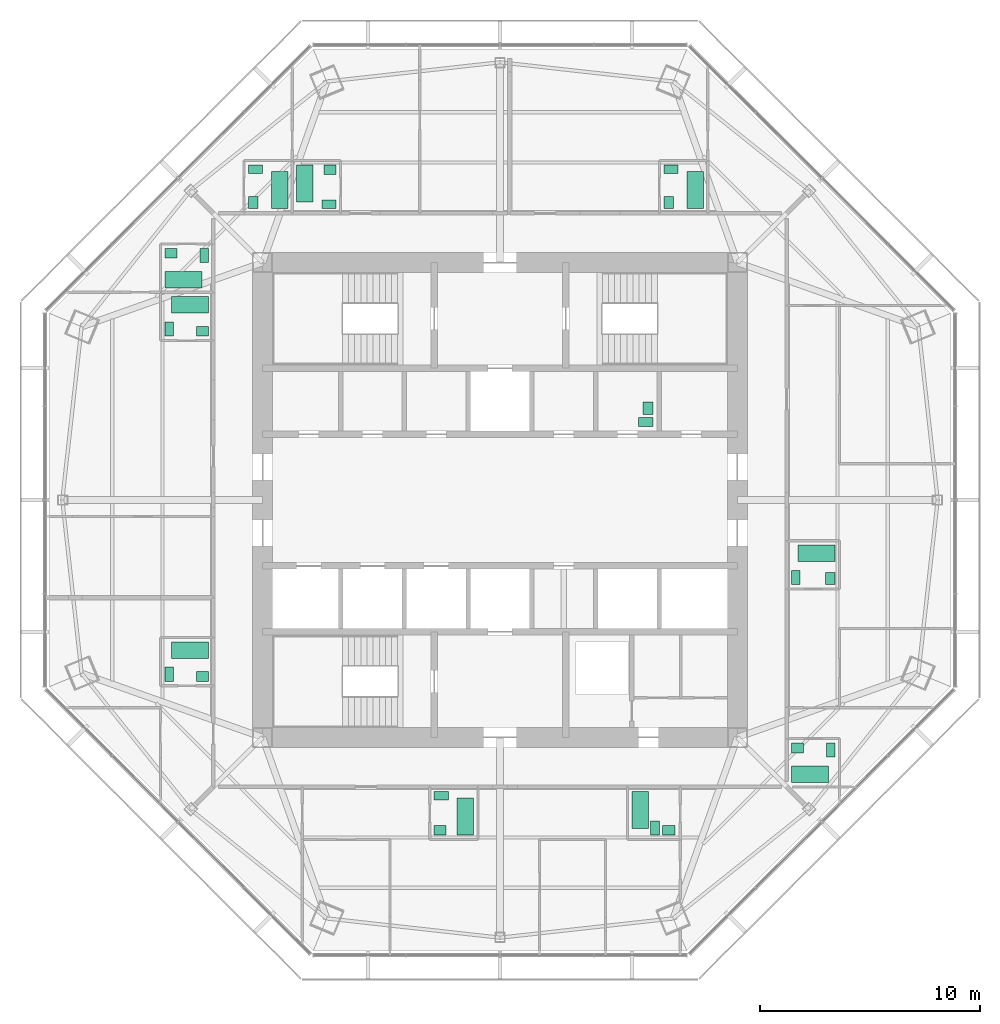
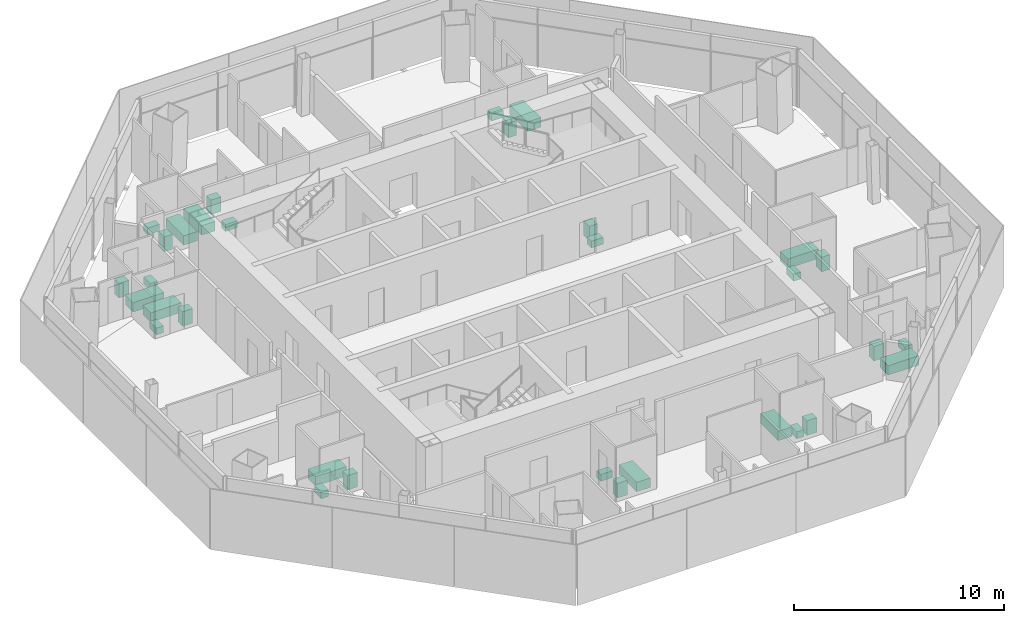
# One storey, part 15 of 15: 32 sanitary terminals.
"""IFC4 building model written with IfcOpenShell, lengths in metres."""

import ifcopenshell
import ifcopenshell.guid

model = None  # the IFC model being written
_history = None  # IfcOwnerHistory: only IFC2X3 demands one
_inside = {}  # id of a spatial element -> (the spatial element, [elements in it])
_under = {}  # id of a project, library or spatial element -> (it, [spatial elements below it])
_declared = {}  # id of a project -> (the project, [libraries it declares])
_typed = {}  # id of a type object -> (the type object, [elements of that type])
_made_of = {}  # id of a material, layer set ... -> (it, [elements and type objects made of it])


def new_model(schema):
    """Start an empty IFC model of exactly this schema.

    Asked for "IFC4X3", IfcOpenShell would pick the latest addendum, in which some entities
    have other attributes; the version numbers below select the first issue.
    IFC2X3 requires an IfcOwnerHistory on every rooted entity: one is made here for all.
    """
    global model, _history
    if schema == "IFC4X3":
        model = ifcopenshell.file(schema_version=(4, 3, 0, 0))
    else:
        model = ifcopenshell.file(schema=schema)
    _inside.clear()
    _under.clear()
    _declared.clear()
    _typed.clear()
    _made_of.clear()
    _history = None
    if model.schema == "IFC2X3":
        org = make("IfcOrganization", Name="unknown")
        user = make(
            "IfcPersonAndOrganization",
            ThePerson=make("IfcPerson", FamilyName="unknown"),
            TheOrganization=org,
        )
        app = make(
            "IfcApplication",
            ApplicationDeveloper=org,
            Version="unknown",
            ApplicationFullName="unknown",
            ApplicationIdentifier="unknown",
        )
        _history = make(
            "IfcOwnerHistory",
            OwningUser=user,
            OwningApplication=app,
            ChangeAction="ADDED",
            CreationDate=0,
        )
    return model


def make(cls, **values):
    """One entity of the class cls with the attributes given. An attribute that is None is left unset."""
    return model.create_entity(
        cls, **{name: value for name, value in values.items() if value is not None}
    )


def rooted(cls, **values):
    """An entity with a GlobalId (a new one), such as an element, a storey or a relation."""
    return make(cls, GlobalId=ifcopenshell.guid.new(), OwnerHistory=_history, **values)


def si_unit(unit_type, name, prefix=None):
    """IfcSIUnit, for example si_unit("LENGTHUNIT", "METRE", prefix="MILLI")."""
    return make("IfcSIUnit", UnitType=unit_type, Prefix=prefix, Name=name)


def assignment(units):
    """IfcUnitAssignment: the units of a project."""
    return None if units is None else make("IfcUnitAssignment", Units=units)


def point(xyz):
    """IfcCartesianPoint."""
    return None if xyz is None else make("IfcCartesianPoint", Coordinates=xyz)


def direction(xyz):
    """IfcDirection."""
    return None if xyz is None else make("IfcDirection", DirectionRatios=xyz)


def frame(location, z_axis=None, x_axis=None):
    """IfcAxis2Placement3D, a coordinate frame: its origin and axes. An axis left out is left unset."""
    return make(
        "IfcAxis2Placement3D",
        Location=point(location),
        Axis=direction(z_axis),
        RefDirection=direction(x_axis),
    )


def frame_2d(location, x_axis=None):
    """IfcAxis2Placement2D, a coordinate frame in the plane: its origin and x axis."""
    return make(
        "IfcAxis2Placement2D", Location=point(location), RefDirection=direction(x_axis)
    )


def origin():
    """The frame at (0, 0, 0) with its axes left unset."""
    return frame((0.0, 0.0, 0.0))


def origin_2d():
    """The frame at (0, 0) in the plane with its x axis left unset."""
    return frame_2d((0.0, 0.0))


def place(relative_to, where):
    """IfcLocalPlacement: puts the frame where relative to a parent placement (None: the world)."""
    return make(
        "IfcLocalPlacement", PlacementRelTo=relative_to, RelativePlacement=where
    )


def context(
    kind, dimensions, precision=None, world=None, true_north=None, identifier=None
):
    """IfcGeometricRepresentationContext, for example the 3D "Model" context."""
    return make(
        "IfcGeometricRepresentationContext",
        ContextIdentifier=identifier,
        ContextType=kind,
        CoordinateSpaceDimension=dimensions,
        Precision=precision,
        WorldCoordinateSystem=world,
        TrueNorth=true_north,
    )


def subcontext(parent, identifier, kind, view, scale=None):
    """IfcGeometricRepresentationSubContext, for example "Body" below "Model"."""
    return make(
        "IfcGeometricRepresentationSubContext",
        ContextIdentifier=identifier,
        ContextType=kind,
        ParentContext=parent,
        TargetScale=scale,
        TargetView=view,
    )


def project(units=None, contexts=None):
    """IfcProject with its units and contexts."""
    return rooted(
        "IfcProject",
        Name="project",
        RepresentationContexts=contexts,
        UnitsInContext=assignment(units),
    )


def spatial(cls, under=None, at=None, **own):
    """A site, building, storey or space (cls), placed at a placement, below another one or the project."""
    s = rooted(cls, ObjectPlacement=at, **own)
    if under is not None:
        _under.setdefault(under.id(), (under, []))[1].append(s)
    return s


def profile(cls, at=None, kind="AREA", **sizes):
    """A parametric profile (cls). Its sizes go by their IFC names, for example OverallWidth=200.0."""
    return make(cls, ProfileType=kind, Position=at, **sizes)


def rectangle(**sizes):
    """IfcRectangleProfileDef."""
    return profile("IfcRectangleProfileDef", **sizes)


def extrude(swept, where, along, depth):
    """IfcExtrudedAreaSolid: the profile swept, set in the frame where, extruded along a direction by depth."""
    return make(
        "IfcExtrudedAreaSolid",
        SweptArea=swept,
        Position=where,
        ExtrudedDirection=direction(along),
        Depth=depth,
    )


def shape(context_of_items, identifier, shape_type, items):
    """IfcShapeRepresentation: the items that make up one representation, for example the "Body"."""
    return make(
        "IfcShapeRepresentation",
        ContextOfItems=context_of_items,
        RepresentationIdentifier=identifier,
        RepresentationType=shape_type,
        Items=items,
    )


def material(Name=None, Category=None):
    """IfcMaterial."""
    return make("IfcMaterial", Name=Name, Category=Category)


def made_of(thing, what):
    """Note that an element or type object is made of a material, layer set ...; save() writes the relation."""
    if what is not None:
        _made_of.setdefault(what.id(), (what, []))[1].append(thing)
    return thing


def type_object(cls, material=None, **own):
    """A type object (cls), such as IfcWallType, which elements share."""
    return made_of(rooted(cls, **own), material)


def element(
    cls,
    number,
    at=None,
    inside=None,
    cuts=None,
    type_object=None,
    material=None,
    context=None,
    identifier="Body",
    shape_type=None,
    held_by="IfcProductDefinitionShape",
    body=None,
    shapes=None,
    **own,
):
    """One element of the class cls, such as IfcWall. Its Tag is "e" and its number.

    at: its placement. inside: the storey or other place that contains it. cuts: it is an
    opening in that element (IfcRelVoidsElement). A single representation is given by context,
    identifier, shape_type and body (its items); several are given by shapes. held_by: the class
    of the entity that holds the representations. save() writes the other relations.
    """
    e = rooted(cls, Tag="e%d" % number, ObjectPlacement=at, **own)
    if body is not None:
        shapes = [shape(context, identifier, shape_type, body)]
    if shapes is not None:
        e.Representation = make(held_by, Representations=shapes)
    if inside is not None:
        _inside.setdefault(inside.id(), (inside, []))[1].append(e)
    if cuts is not None:
        rooted(
            "IfcRelVoidsElement", RelatingBuildingElement=cuts, RelatedOpeningElement=e
        )
    if type_object is not None:
        _typed.setdefault(type_object.id(), (type_object, []))[1].append(e)
    return made_of(e, material)


def aggregate(whole, parts):
    """IfcRelAggregates: a whole, such as a stair, and the parts it consists of."""
    return rooted("IfcRelAggregates", RelatingObject=whole, RelatedObjects=parts)


def save(model, path):
    """Write the relations noted so far, then the file.

    IfcRelAggregates (storeys below a building ...), IfcRelContainedInSpatialStructure (elements
    in a storey), IfcRelDefinesByType, IfcRelAssociatesMaterial and IfcRelDeclares: one each for
    every whole, place, type object, material and project.
    """
    for whole, parts in _under.values():
        aggregate(whole, parts)
    for where, things in _inside.values():
        rooted(
            "IfcRelContainedInSpatialStructure",
            RelatedElements=things,
            RelatingStructure=where,
        )
    for kind, things in _typed.values():
        rooted("IfcRelDefinesByType", RelatedObjects=things, RelatingType=kind)
    for what, things in _made_of.values():
        rooted("IfcRelAssociatesMaterial", RelatedObjects=things, RelatingMaterial=what)
    for by, libraries in _declared.values():
        rooted("IfcRelDeclares", RelatingContext=by, RelatedDefinitions=libraries)
    model.write(path)


model = new_model("IFC4")

# Units and contexts
model_context = context("Model", 3, precision=1e-05, world=origin(), true_north=direction((0.0, 1.0)))
body_context = subcontext(model_context, "Body", "Model", "MODEL_VIEW")
ifc_project = project(units=[si_unit("LENGTHUNIT", "METRE"), si_unit("AREAUNIT", "SQUARE_METRE"), si_unit("VOLUMEUNIT", "CUBIC_METRE"), si_unit("PLANEANGLEUNIT", "RADIAN"), si_unit("MASSUNIT", "GRAM", prefix="KILO")], contexts=[model_context])

# Site, building, storey
site_placement = place(None, origin())
site = spatial("IfcSite", under=ifc_project, at=site_placement, CompositionType="ELEMENT")
building_placement = place(site_placement, origin())
building = spatial("IfcBuilding", under=site, at=building_placement, Name="Mashrafa Tower", CompositionType="ELEMENT")
storey_placement = place(building_placement, frame((0.0, 0.0, 258.39990234375)))
storey = spatial("IfcBuildingStorey", under=building, at=storey_placement, Name="L62", CompositionType="ELEMENT", Elevation=258.39990234375)

# Sanitary terminals
ifc_material_1 = material(Name="Enamelled steel", Category="steel")
sanitary_terminal_type_1 = type_object("IfcSanitaryTerminalType", Name="Bath 1700 x 750", PredefinedType="BATH", material=ifc_material_1)
for number, where, z_axis, x_axis, name in (
    (1, (14.10009765625, -12.47509765625, 0.0), (0.0, 0.0, 1.0), (1.0, 0.0, 0.0), "Bath Apartment 6201 En-suite Bathroom"),
    (2, (14.39990234375, -2.425048828125, 0.0), (0.0, 0.0, 1.0), (-1.0, 0.0, 0.0), "Bath Apartment 6201 Bathroom"),
    (3, (8.875, 14.10009765625, 0.0), (0.0, 0.0, 1.0), (0.0, 1.0, 0.0), "Bath Apartment 6202 Bathroom"),
    (4, (-10.02490234375, 14.10009765625, 0.0), (0.0, 0.0, 1.0), (0.0, 1.0, 0.0), "Bath Apartment 6203 En-suite Bathroom"),
    (5, (-8.875, 14.39990234375, 0.0), (0.0, 0.0, 1.0), (0.0, -1.0, 0.0), "Bath Apartment 6203 Bathroom"),
    (6, (-14.39990234375, 10.02490234375, 0.0), (0.0, 0.0, 1.0), (1.0, 0.0, 0.0), "Bath Apartment 6204 En-suite Bathroom"),
    (7, (-14.10009765625, 8.875, 0.0), (0.0, 0.0, 1.0), (-1.0, 0.0, 0.0), "Bath Apartment 6204 Bathroom"),
    (8, (-14.10009765625, -6.824951171875, 0.0), (0.0, 0.0, 1.0), (-1.0, 0.0, 0.0), "Bath Apartment 6205 Bathroom"),
    (9, (-1.574951171875, -14.39990234375, 0.0), (0.0, 0.0, 1.0), (0.0, 1.0, 0.0), "Bath Apartment 6206 Bathroom"),
    (10, (6.375, -14.10009765625, 0.0), (0.0, 0.0, 1.0), (0.0, -1.0, 0.0), "Bath Apartment 6206 En-suite Bathroom"),
):
    element("IfcSanitaryTerminal", number, at=place(storey_placement, frame(where, z_axis=z_axis, x_axis=x_axis)), inside=storey, type_object=sanitary_terminal_type_1, Name=name, PredefinedType="BATH", context=body_context, shape_type="SweptSolid", body=[
        extrude(rectangle(XDim=1.699951171875, YDim=0.75, at=origin_2d()), origin(), (0.0, 0.0, 1.0), 0.550048828125),
    ])
ifc_material_2 = material(Name="Vitreous china")
sanitary_terminal_type_2 = type_object("IfcSanitaryTerminalType", Name="Toilet pan 400 x 650", PredefinedType="TOILETPAN", material=ifc_material_2)
for number, where, z_axis, x_axis, name in (
    (11, (6.625, 3.550048828125, 0.000244140625), (0.0, 0.0, 1.0), (0.0, 1.0, 0.0), "Toilet pan Staff WC L62"),
    (12, (15.050048828125, -11.375, 0.000244140625), (0.0, 0.0, 1.0), (-1.0, 0.0, 0.0), "Toilet pan Apartment 6201 En-suite Bathroom"),
    (13, (13.449951171875, -3.52490234375, 0.000244140625), (0.0, 0.0, 1.0), (1.0, 0.0, 0.0), "Toilet pan Apartment 6201 Bathroom"),
    (14, (7.77490234375, 15.050048828125, 0.000244140625), (0.0, 0.0, 1.0), (0.0, -1.0, 0.0), "Toilet pan Apartment 6202 Bathroom"),
    (15, (-11.125, 15.050048828125, 0.000244140625), (0.0, 0.0, 1.0), (0.0, -1.0, 0.0), "Toilet pan Apartment 6203 En-suite Bathroom"),
    (16, (-7.77490234375, 13.449951171875, 0.000244140625), (0.0, 0.0, 1.0), (0.0, 1.0, 0.0), "Toilet pan Apartment 6203 Bathroom"),
    (17, (-13.449951171875, 11.125, 0.000244140625), (0.0, 0.0, 1.0), (-1.0, 0.0, 0.0), "Toilet pan Apartment 6204 En-suite Bathroom"),
    (18, (-15.050048828125, 7.77490234375, 0.000244140625), (0.0, 0.0, 1.0), (1.0, 0.0, 0.0), "Toilet pan Apartment 6204 Bathroom"),
    (19, (-15.050048828125, -7.925048828125, 0.000244140625), (0.0, 0.0, 1.0), (1.0, 0.0, 0.0), "Toilet pan Apartment 6205 Bathroom"),
    (20, (-2.675048828125, -13.449951171875, 0.000244140625), (0.0, 0.0, 1.0), (0.0, -1.0, 0.0), "Toilet pan Apartment 6206 Bathroom"),
    (21, (7.050048828125, -14.925048828125, 0.000244140625), (0.0, 0.0, 1.0), (1.0, 0.0, 0.0), "Toilet pan Apartment 6206 En-suite Bathroom"),
):
    element("IfcSanitaryTerminal", number, at=place(storey_placement, frame(where, z_axis=z_axis, x_axis=x_axis)), inside=storey, type_object=sanitary_terminal_type_2, Name=name, PredefinedType="TOILETPAN", context=body_context, shape_type="SweptSolid", body=[
        extrude(rectangle(XDim=0.39990234375, YDim=0.64990234375, at=origin_2d()), origin(), (0.0, 0.0, 1.0), 0.39990234375),
    ])
ifc_material_3 = material(Name="Vitreous china")
sanitary_terminal_type_3 = type_object("IfcSanitaryTerminalType", Name="Wash basin 550 x 450", PredefinedType="WASHHANDBASIN", material=ifc_material_3)
for number, where, z_axis, x_axis, name in (
    (22, (6.72509765625, 4.175048828125, 0.0), (0.0, 0.0, 1.0), (0.0, 1.0, 0.0), "Wash basin Staff WC L62"),
    (23, (13.52490234375, -11.27490234375, 0.0), (0.0, 0.0, 1.0), (-1.0, 0.0, 0.0), "Wash basin Apartment 6201 En-suite Bathroom"),
    (24, (15.02490234375, -3.574951171875, 0.0), (0.0, 0.0, 1.0), (0.0, 1.0, 0.0), "Wash basin Apartment 6201 Bathroom"),
    (25, (7.675048828125, 13.52490234375, 0.0), (0.0, 0.0, 1.0), (0.0, -1.0, 0.0), "Wash basin Apartment 6202 Bathroom"),
    (26, (-11.22509765625, 13.52490234375, 0.0), (0.0, 0.0, 1.0), (0.0, -1.0, 0.0), "Wash basin Apartment 6203 En-suite Bathroom"),
    (27, (-7.72509765625, 15.02490234375, 0.0), (0.0, 0.0, 1.0), (-1.0, 0.0, 0.0), "Wash basin Apartment 6203 Bathroom"),
    (28, (-14.97509765625, 11.22509765625, 0.0), (0.0, 0.0, 1.0), (-1.0, 0.0, 0.0), "Wash basin Apartment 6204 En-suite Bathroom"),
    (29, (-13.52490234375, 7.675048828125, 0.0), (0.0, 0.0, 1.0), (1.0, 0.0, 0.0), "Wash basin Apartment 6204 Bathroom"),
    (30, (-13.52490234375, -8.02490234375, 0.0), (0.0, 0.0, 1.0), (1.0, 0.0, 0.0), "Wash basin Apartment 6205 Bathroom"),
    (31, (-2.72509765625, -15.02490234375, 0.0), (0.0, 0.0, 1.0), (1.0, 0.0, 0.0), "Wash basin Apartment 6206 Bathroom"),
    (32, (7.675048828125, -15.02490234375, 0.0), (0.0, 0.0, 1.0), (1.0, 0.0, 0.0), "Wash basin Apartment 6206 En-suite Bathroom"),
):
    element("IfcSanitaryTerminal", number, at=place(storey_placement, frame(where, z_axis=z_axis, x_axis=x_axis)), inside=storey, type_object=sanitary_terminal_type_3, Name=name, PredefinedType="WASHHANDBASIN", context=body_context, shape_type="SweptSolid", body=[
        extrude(rectangle(XDim=0.550048828125, YDim=0.449951171875, at=origin_2d()), origin(), (0.0, 0.0, 1.0), 0.85009765625),
    ])

save(model, "model.ifc")
